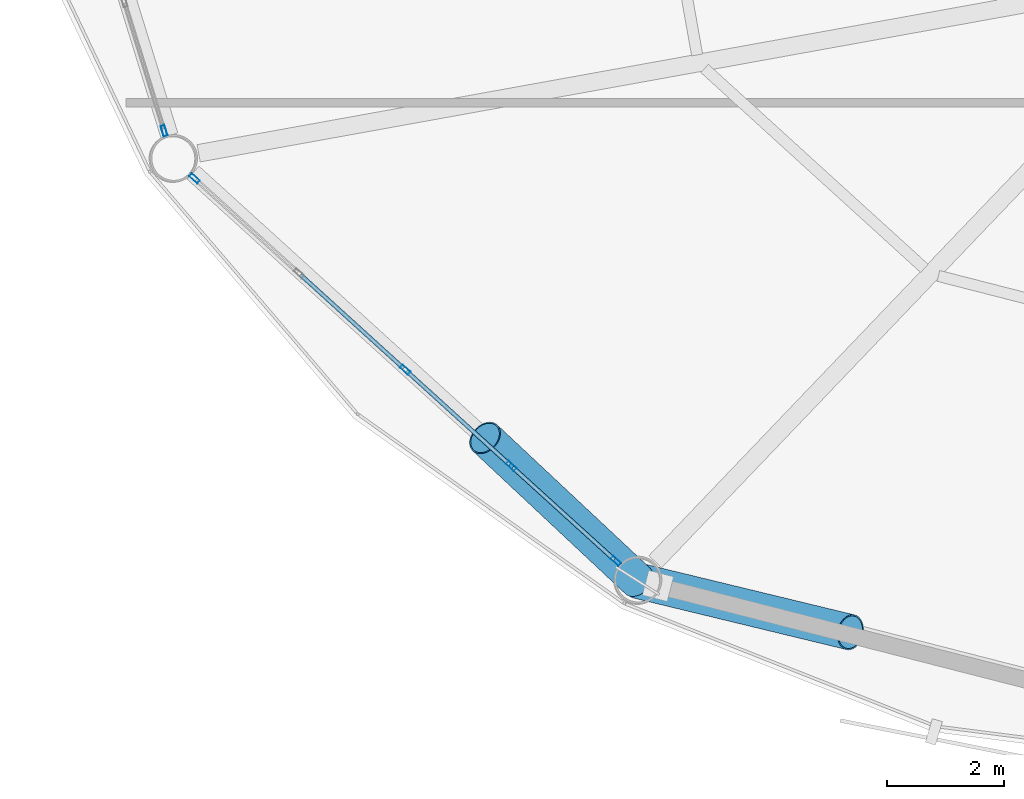
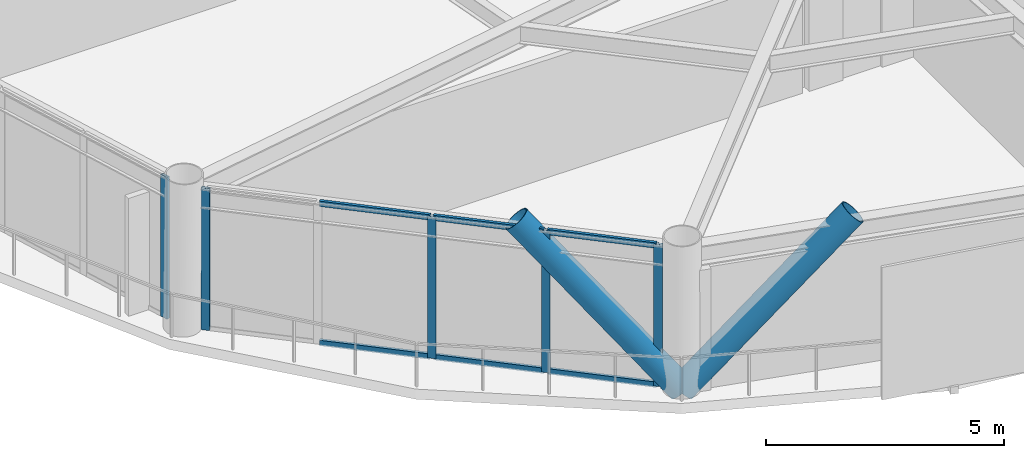
# One storey, part 2 of 26: 13 members, 2 elements without a shape of their own.
"""IFC4 building model written with IfcOpenShell, lengths in metres."""

from ifc_helpers import new_model, si_unit, direction, frame, origin, origin_2d, place, context, subcontext, project, spatial, hollow_rectangle, hollow_circle, extrude, material, layer, layer_set, material_profile, profile_set, type_object, element, aggregate, save


model = new_model("IFC4")

# Units and contexts
model_context = context("Model", 3, precision=1e-05, world=origin(), true_north=direction((0.0, 1.0)))
body_context = subcontext(model_context, "Body", "Model", "MODEL_VIEW")
ifc_project = project(units=[si_unit("LENGTHUNIT", "METRE"), si_unit("AREAUNIT", "SQUARE_METRE"), si_unit("VOLUMEUNIT", "CUBIC_METRE"), si_unit("PLANEANGLEUNIT", "RADIAN"), si_unit("MASSUNIT", "GRAM", prefix="KILO")], contexts=[model_context])

# Site, building, storey
site_placement = place(None, origin())
site = spatial("IfcSite", under=ifc_project, at=site_placement, CompositionType="ELEMENT")
building_placement = place(site_placement, origin())
building = spatial("IfcBuilding", under=site, at=building_placement, Name="Varnakorn Sky Granary", CompositionType="ELEMENT")
storey_placement = place(building_placement, frame((0.0, 0.0, 87.60009765625)))
storey = spatial("IfcBuildingStorey", under=building, at=storey_placement, Name="L21", CompositionType="ELEMENT", Elevation=87.60009765625)

# Curtain wall, member
ifc_material_1 = material(Name="Anodised Bronze Aluminium Alloy 6063-T6", Category="aluminium")
ifc_layer = layer(ifc_material_1, 0.18994140625, Name="Anodised Bronze Aluminium Alloy 6063-T6")
ifc_layer_set = layer_set([ifc_layer], Name="Anodised Bronze Aluminium Alloy 6063-T6")
curtain_wall_type = type_object("IfcCurtainWallType", Name="CW-FRM-1", PredefinedType="USERDEFINED", material=ifc_layer_set)
curtain_wall_1_placement = place(storey_placement, origin())
curtain_wall_1 = element("IfcCurtainWall", 1, at=curtain_wall_1_placement, inside=storey, type_object=curtain_wall_type, Name="Unitised Curtain Wall CW3 CW-L21-B07", ObjectType="CURTAIN WALL", PredefinedType="USERDEFINED")
ifc_material_profile_1 = material_profile(ifc_material_1, hollow_rectangle(XDim=0.070068359375, YDim=0.18505859375, WallThickness=0.00390625, at=origin_2d()), Name="ALU MULL 70x185")
ifc_profile_set_1 = profile_set([ifc_material_profile_1], Name="Anodised Bronze Aluminium Alloy 6063-T6")
member_type_1 = type_object("IfcMemberType", Name="CW-FRM-1-MULL", PredefinedType="MULLION", material=ifc_profile_set_1)
member_1_placement = place(storey_placement, frame((-20.45361328125, -9.37841796875, 0.0), z_axis=(0.0, 0.0, 1.0), x_axis=(-0.955475972481, -0.295068917394, 0.0)))
member_1 = element("IfcMember", 2, at=member_1_placement, type_object=member_type_1, Name="CW3 mullion 1", PredefinedType="MULLION", context=body_context, shape_type="SweptSolid", body=[
    extrude(hollow_rectangle(XDim=0.070068359375, YDim=0.18505859375, WallThickness=0.00390625, at=origin_2d()), origin(), (0.0, 0.0, 1.0), 3.639892578125),
])
aggregate(curtain_wall_1, [member_1])

# Curtain wall, members
curtain_wall_2_placement = place(storey_placement, origin())
curtain_wall_2 = element("IfcCurtainWall", 3, at=curtain_wall_2_placement, inside=storey, type_object=curtain_wall_type, Name="Unitised Curtain Wall CW3 CW-L21-B08", ObjectType="CURTAIN WALL", PredefinedType="USERDEFINED")
member_2_placement = place(storey_placement, frame((-12.728759765625, -16.736572265625, 0.0), z_axis=(0.0, 0.0, 1.0), x_axis=(-0.672190262797, -0.74037845093, 0.0)))
member_2 = element("IfcMember", 4, at=member_2_placement, type_object=member_type_1, Name="CW3 mullion 1", PredefinedType="MULLION", context=body_context, shape_type="SweptSolid", body=[
    extrude(hollow_rectangle(XDim=0.070068359375, YDim=0.18505859375, WallThickness=0.00390625, at=origin_2d()), origin(), (0.0, 0.0, 1.0), 3.639892578125),
])
member_3_placement = place(storey_placement, frame((-14.517333984375, -15.11279296875, 0.0), z_axis=(0.0, 0.0, 1.0), x_axis=(-0.672190262797, -0.74037845093, 0.0)))
member_3 = element("IfcMember", 5, at=member_3_placement, type_object=member_type_1, Name="CW3 mullion 2", PredefinedType="MULLION", context=body_context, shape_type="SweptSolid", body=[
    extrude(hollow_rectangle(XDim=0.070068359375, YDim=0.18505859375, WallThickness=0.00390625, at=origin_2d()), origin(), (0.0, 0.0, 1.0), 3.639892578125),
])
member_4_placement = place(storey_placement, frame((-16.33154296875, -13.465576171875, 0.0), z_axis=(0.0, 0.0, 1.0), x_axis=(-0.672190262797, -0.74037845093, 0.0)))
member_4 = element("IfcMember", 6, at=member_4_placement, type_object=member_type_1, Name="CW3 mullion 3", PredefinedType="MULLION", context=body_context, shape_type="SweptSolid", body=[
    extrude(hollow_rectangle(XDim=0.070068359375, YDim=0.18505859375, WallThickness=0.00390625, at=origin_2d()), origin(), (0.0, 0.0, 1.0), 3.639892578125),
])
member_5_placement = place(storey_placement, frame((-19.934326171875, -10.194580078125, 0.0), z_axis=(0.0, 0.0, 1.0), x_axis=(-0.672190262797, -0.74037845093, 0.0)))
member_5 = element("IfcMember", 7, at=member_5_placement, type_object=member_type_1, Name="CW3 mullion 5", PredefinedType="MULLION", context=body_context, shape_type="SweptSolid", body=[
    extrude(hollow_rectangle(XDim=0.070068359375, YDim=0.18505859375, WallThickness=0.00390625, at=origin_2d()), origin(), (0.0, 0.0, 1.0), 3.639892578125),
])
ifc_material_profile_2 = material_profile(ifc_material_1, hollow_rectangle(XDim=0.070068359375, YDim=0.139892578125, WallThickness=0.00341796875, at=origin_2d()), Name="ALU TRAN 70x140")
ifc_profile_set_2 = profile_set([ifc_material_profile_2], Name="Anodised Bronze Aluminium Alloy 6063-T6")
member_type_2 = type_object("IfcMemberType", Name="CW-FRM-1-TRAN", PredefinedType="USERDEFINED", material=ifc_profile_set_2)
member_6_placement = place(storey_placement, frame((-12.754638671875, -16.713134765625, 0.034912109375), z_axis=(-0.740420250797, 0.672144219799, 0.0), x_axis=(-0.672144219799, -0.740420250797, 0.0)))
member_6 = element("IfcMember", 8, at=member_6_placement, type_object=member_type_2, Name="CW3 transom 1.1", ObjectType="TRANSOM", PredefinedType="USERDEFINED", context=body_context, shape_type="SweptSolid", body=[
    extrude(hollow_rectangle(XDim=0.070068359375, YDim=0.139892578125, WallThickness=0.00341796875, at=origin_2d()), origin(), (0.0, 0.0, 1.0), 2.345703125),
])
member_7_placement = place(storey_placement, frame((-12.754638671875, -16.713134765625, 3.60498046875), z_axis=(-0.740420250797, 0.672144219799, 0.0), x_axis=(-0.672144219799, -0.740420250797, 0.0)))
member_7 = element("IfcMember", 9, at=member_7_placement, type_object=member_type_2, Name="CW3 transom 1.2", ObjectType="TRANSOM", PredefinedType="USERDEFINED", context=body_context, shape_type="SweptSolid", body=[
    extrude(hollow_rectangle(XDim=0.070068359375, YDim=0.139892578125, WallThickness=0.00341796875, at=origin_2d()), origin(), (0.0, 0.0, 1.0), 2.345703125),
])
member_8_placement = place(storey_placement, frame((-14.543212890625, -15.08935546875, 0.034912109375), z_axis=(-0.740334383082, 0.67223879777, 0.0), x_axis=(-0.67223879777, -0.740334383082, 0.0)))
member_8 = element("IfcMember", 10, at=member_8_placement, type_object=member_type_2, Name="CW3 transom 2.1", ObjectType="TRANSOM", PredefinedType="USERDEFINED", context=body_context, shape_type="SweptSolid", body=[
    extrude(hollow_rectangle(XDim=0.070068359375, YDim=0.139892578125, WallThickness=0.00341796875, at=origin_2d()), origin(), (0.0, 0.0, 1.0), 2.380615234375),
])
member_9_placement = place(storey_placement, frame((-14.543212890625, -15.08935546875, 3.60498046875), z_axis=(-0.740334383082, 0.67223879777, 0.0), x_axis=(-0.67223879777, -0.740334383082, 0.0)))
member_9 = element("IfcMember", 11, at=member_9_placement, type_object=member_type_2, Name="CW3 transom 2.2", ObjectType="TRANSOM", PredefinedType="USERDEFINED", context=body_context, shape_type="SweptSolid", body=[
    extrude(hollow_rectangle(XDim=0.070068359375, YDim=0.139892578125, WallThickness=0.00341796875, at=origin_2d()), origin(), (0.0, 0.0, 1.0), 2.380615234375),
])
member_10_placement = place(storey_placement, frame((-16.357421875, -13.442138671875, 0.034912109375), z_axis=(-0.740380722285, 0.672187761022, 0.0), x_axis=(-0.672187761022, -0.740380722285, 0.0)))
member_10 = element("IfcMember", 12, at=member_10_placement, type_object=member_type_2, Name="CW3 transom 3.1", ObjectType="TRANSOM", PredefinedType="USERDEFINED", context=body_context, shape_type="SweptSolid", body=[
    extrude(hollow_rectangle(XDim=0.070068359375, YDim=0.139892578125, WallThickness=0.00341796875, at=origin_2d()), origin(), (0.0, 0.0, 1.0), 2.380859375),
])
member_11_placement = place(storey_placement, frame((-16.357421875, -13.442138671875, 3.60498046875), z_axis=(-0.740380722285, 0.672187761022, 0.0), x_axis=(-0.672187761022, -0.740380722285, 0.0)))
member_11 = element("IfcMember", 13, at=member_11_placement, type_object=member_type_2, Name="CW3 transom 3.2", ObjectType="TRANSOM", PredefinedType="USERDEFINED", context=body_context, shape_type="SweptSolid", body=[
    extrude(hollow_rectangle(XDim=0.070068359375, YDim=0.139892578125, WallThickness=0.00341796875, at=origin_2d()), origin(), (0.0, 0.0, 1.0), 2.380859375),
])
aggregate(curtain_wall_2, [member_2, member_3, member_4, member_5, member_6, member_7, member_8, member_9, member_10, member_11])

# Members
ifc_material_2 = material(Name="Steel S460M", Category="steel")
ifc_material_profile_3 = material_profile(ifc_material_2, hollow_circle(Radius=0.304931640625, WallThickness=0.022216796875, at=origin_2d()), Name="CHS 610x22")
ifc_profile_set_3 = profile_set([ifc_material_profile_3], Name="Steel S460M")
member_type_3 = type_object("IfcMemberType", Name="MB-DIAG-T1", PredefinedType="BRACE", material=ifc_profile_set_3)
member_12_placement = place(storey_placement, frame((-12.357421875, -17.07373046875, 0.0), z_axis=(-0.500717987003, 0.468746292673, 0.727707640881), x_axis=(-0.683415763034, -0.730029379434, 0.0)))
element("IfcMember", 14, at=member_12_placement, inside=storey, type_object=member_type_3, Name="Perimeter CHS Diagrid Brace DG08 L21", PredefinedType="BRACE", context=body_context, shape_type="SweptSolid", body=[
    extrude(hollow_circle(Radius=0.304931640625, WallThickness=0.022216796875, at=origin_2d()), origin(), (0.0, 0.0, 1.0), 5.207763671875),
])
member_13_placement = place(storey_placement, frame((-12.357421875, -17.07373046875, 0.0), z_axis=(0.683297765195, -0.165429985258, 0.711151941611), x_axis=(0.235307200809, 0.971921046818, 0.0)))
element("IfcMember", 15, at=member_13_placement, inside=storey, type_object=member_type_3, Name="Perimeter CHS Diagrid Brace DG09 L21", PredefinedType="BRACE", context=body_context, shape_type="SweptSolid", body=[
    extrude(hollow_circle(Radius=0.304931640625, WallThickness=0.022216796875, at=origin_2d()), origin(), (0.0, 0.0, 1.0), 5.3291015625),
])

save(model, "model.ifc")
